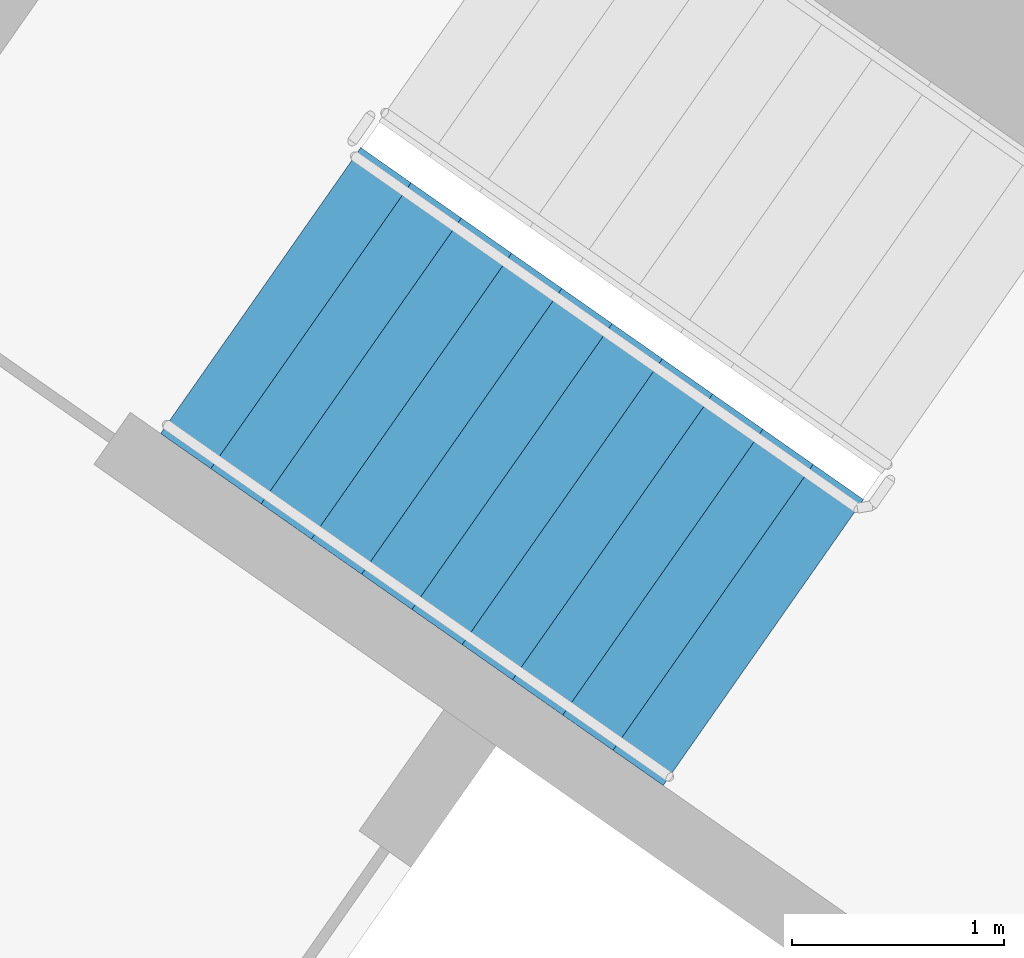
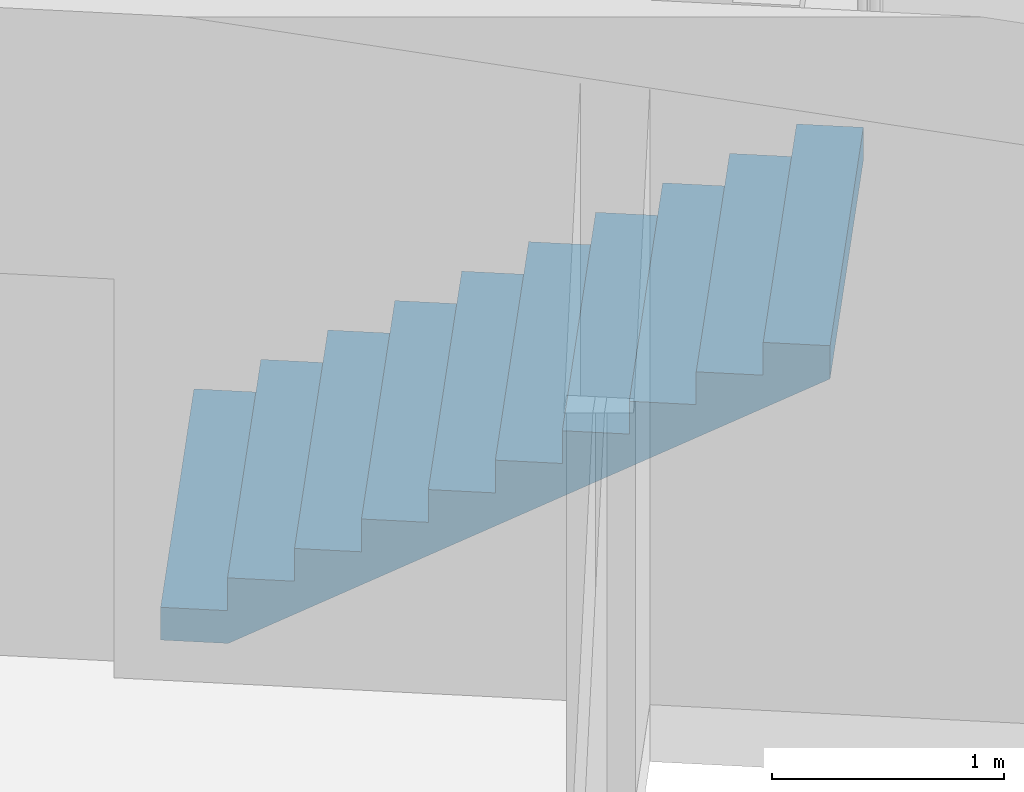
# One storey, part 11 of 26: 1 stair flight, 1 element without a shape of its own.
"""IFC4 building model written with IfcOpenShell, lengths in metres."""

import ifcopenshell
import ifcopenshell.guid

model = None  # the IFC model being written
_history = None  # IfcOwnerHistory: only IFC2X3 demands one
_inside = {}  # id of a spatial element -> (the spatial element, [elements in it])
_under = {}  # id of a project, library or spatial element -> (it, [spatial elements below it])
_declared = {}  # id of a project -> (the project, [libraries it declares])
_typed = {}  # id of a type object -> (the type object, [elements of that type])
_made_of = {}  # id of a material, layer set ... -> (it, [elements and type objects made of it])


def new_model(schema):
    """Start an empty IFC model of exactly this schema.

    Asked for "IFC4X3", IfcOpenShell would pick the latest addendum, in which some entities
    have other attributes; the version numbers below select the first issue.
    IFC2X3 requires an IfcOwnerHistory on every rooted entity: one is made here for all.
    """
    global model, _history
    if schema == "IFC4X3":
        model = ifcopenshell.file(schema_version=(4, 3, 0, 0))
    else:
        model = ifcopenshell.file(schema=schema)
    _inside.clear()
    _under.clear()
    _declared.clear()
    _typed.clear()
    _made_of.clear()
    _history = None
    if model.schema == "IFC2X3":
        org = make("IfcOrganization", Name="unknown")
        user = make(
            "IfcPersonAndOrganization",
            ThePerson=make("IfcPerson", FamilyName="unknown"),
            TheOrganization=org,
        )
        app = make(
            "IfcApplication",
            ApplicationDeveloper=org,
            Version="unknown",
            ApplicationFullName="unknown",
            ApplicationIdentifier="unknown",
        )
        _history = make(
            "IfcOwnerHistory",
            OwningUser=user,
            OwningApplication=app,
            ChangeAction="ADDED",
            CreationDate=0,
        )
    return model


def make(cls, **values):
    """One entity of the class cls with the attributes given. An attribute that is None is left unset."""
    return model.create_entity(
        cls, **{name: value for name, value in values.items() if value is not None}
    )


def rooted(cls, **values):
    """An entity with a GlobalId (a new one), such as an element, a storey or a relation."""
    return make(cls, GlobalId=ifcopenshell.guid.new(), OwnerHistory=_history, **values)


def si_unit(unit_type, name, prefix=None):
    """IfcSIUnit, for example si_unit("LENGTHUNIT", "METRE", prefix="MILLI")."""
    return make("IfcSIUnit", UnitType=unit_type, Prefix=prefix, Name=name)


def assignment(units):
    """IfcUnitAssignment: the units of a project."""
    return None if units is None else make("IfcUnitAssignment", Units=units)


def point(xyz):
    """IfcCartesianPoint."""
    return None if xyz is None else make("IfcCartesianPoint", Coordinates=xyz)


def direction(xyz):
    """IfcDirection."""
    return None if xyz is None else make("IfcDirection", DirectionRatios=xyz)


def frame(location, z_axis=None, x_axis=None):
    """IfcAxis2Placement3D, a coordinate frame: its origin and axes. An axis left out is left unset."""
    return make(
        "IfcAxis2Placement3D",
        Location=point(location),
        Axis=direction(z_axis),
        RefDirection=direction(x_axis),
    )


def origin():
    """The frame at (0, 0, 0) with its axes left unset."""
    return frame((0.0, 0.0, 0.0))


def place(relative_to, where):
    """IfcLocalPlacement: puts the frame where relative to a parent placement (None: the world)."""
    return make(
        "IfcLocalPlacement", PlacementRelTo=relative_to, RelativePlacement=where
    )


def context(
    kind, dimensions, precision=None, world=None, true_north=None, identifier=None
):
    """IfcGeometricRepresentationContext, for example the 3D "Model" context."""
    return make(
        "IfcGeometricRepresentationContext",
        ContextIdentifier=identifier,
        ContextType=kind,
        CoordinateSpaceDimension=dimensions,
        Precision=precision,
        WorldCoordinateSystem=world,
        TrueNorth=true_north,
    )


def subcontext(parent, identifier, kind, view, scale=None):
    """IfcGeometricRepresentationSubContext, for example "Body" below "Model"."""
    return make(
        "IfcGeometricRepresentationSubContext",
        ContextIdentifier=identifier,
        ContextType=kind,
        ParentContext=parent,
        TargetScale=scale,
        TargetView=view,
    )


def project(units=None, contexts=None):
    """IfcProject with its units and contexts."""
    return rooted(
        "IfcProject",
        Name="project",
        RepresentationContexts=contexts,
        UnitsInContext=assignment(units),
    )


def spatial(cls, under=None, at=None, **own):
    """A site, building, storey or space (cls), placed at a placement, below another one or the project."""
    s = rooted(cls, ObjectPlacement=at, **own)
    if under is not None:
        _under.setdefault(under.id(), (under, []))[1].append(s)
    return s


def faces_of(points, faces, orient=None, outer=None):
    """IfcFace entities. A face is a list of loops; a loop is a list of indices into points, from 0.

    orient and outer hold one flag for each loop. By default every Orientation is true, the
    first loop of a face is its IfcFaceOuterBound and the others are IfcFaceBound.
    """
    made = []
    for i, loops in enumerate(faces):
        bounds = []
        for j, loop in enumerate(loops):
            is_outer = j == 0 if outer is None else outer[i][j]
            bounds.append(
                make(
                    "IfcFaceOuterBound" if is_outer else "IfcFaceBound",
                    Bound=make("IfcPolyLoop", Polygon=[points[k] for k in loop]),
                    Orientation=True if orient is None else orient[i][j],
                )
            )
        made.append(make("IfcFace", Bounds=bounds))
    return made


def faceted_brep(points, faces, orient=None, outer=None, voids=None):
    """IfcFacetedBrep: a solid bounded by flat faces; with voids (closed shells), ...WithVoids."""
    shared = [point(p) for p in points]
    hull = make("IfcClosedShell", CfsFaces=faces_of(shared, faces, orient, outer))
    if voids is None:
        return make("IfcFacetedBrep", Outer=hull)
    return make(
        "IfcFacetedBrepWithVoids",
        Outer=hull,
        Voids=[
            make(cls, CfsFaces=faces_of(shared, fs, o, b)) for cls, fs, o, b in voids
        ],
    )


def shape(context_of_items, identifier, shape_type, items):
    """IfcShapeRepresentation: the items that make up one representation, for example the "Body"."""
    return make(
        "IfcShapeRepresentation",
        ContextOfItems=context_of_items,
        RepresentationIdentifier=identifier,
        RepresentationType=shape_type,
        Items=items,
    )


def material(Name=None, Category=None):
    """IfcMaterial."""
    return make("IfcMaterial", Name=Name, Category=Category)


def made_of(thing, what):
    """Note that an element or type object is made of a material, layer set ...; save() writes the relation."""
    if what is not None:
        _made_of.setdefault(what.id(), (what, []))[1].append(thing)
    return thing


def type_object(cls, material=None, **own):
    """A type object (cls), such as IfcWallType, which elements share."""
    return made_of(rooted(cls, **own), material)


def element(
    cls,
    number,
    at=None,
    inside=None,
    cuts=None,
    type_object=None,
    material=None,
    context=None,
    identifier="Body",
    shape_type=None,
    held_by="IfcProductDefinitionShape",
    body=None,
    shapes=None,
    **own,
):
    """One element of the class cls, such as IfcWall. Its Tag is "e" and its number.

    at: its placement. inside: the storey or other place that contains it. cuts: it is an
    opening in that element (IfcRelVoidsElement). A single representation is given by context,
    identifier, shape_type and body (its items); several are given by shapes. held_by: the class
    of the entity that holds the representations. save() writes the other relations.
    """
    e = rooted(cls, Tag="e%d" % number, ObjectPlacement=at, **own)
    if body is not None:
        shapes = [shape(context, identifier, shape_type, body)]
    if shapes is not None:
        e.Representation = make(held_by, Representations=shapes)
    if inside is not None:
        _inside.setdefault(inside.id(), (inside, []))[1].append(e)
    if cuts is not None:
        rooted(
            "IfcRelVoidsElement", RelatingBuildingElement=cuts, RelatedOpeningElement=e
        )
    if type_object is not None:
        _typed.setdefault(type_object.id(), (type_object, []))[1].append(e)
    return made_of(e, material)


def aggregate(whole, parts):
    """IfcRelAggregates: a whole, such as a stair, and the parts it consists of."""
    return rooted("IfcRelAggregates", RelatingObject=whole, RelatedObjects=parts)


def save(model, path):
    """Write the relations noted so far, then the file.

    IfcRelAggregates (storeys below a building ...), IfcRelContainedInSpatialStructure (elements
    in a storey), IfcRelDefinesByType, IfcRelAssociatesMaterial and IfcRelDeclares: one each for
    every whole, place, type object, material and project.
    """
    for whole, parts in _under.values():
        aggregate(whole, parts)
    for where, things in _inside.values():
        rooted(
            "IfcRelContainedInSpatialStructure",
            RelatedElements=things,
            RelatingStructure=where,
        )
    for kind, things in _typed.values():
        rooted("IfcRelDefinesByType", RelatedObjects=things, RelatingType=kind)
    for what, things in _made_of.values():
        rooted("IfcRelAssociatesMaterial", RelatedObjects=things, RelatingMaterial=what)
    for by, libraries in _declared.values():
        rooted("IfcRelDeclares", RelatingContext=by, RelatedDefinitions=libraries)
    model.write(path)


model = new_model("IFC4")

# Units and contexts
model_context = context("Model", 3, precision=1e-05, world=origin(), true_north=direction((0.0, 1.0)))
body_context = subcontext(model_context, "Body", "Model", "MODEL_VIEW")
ifc_project = project(units=[si_unit("LENGTHUNIT", "METRE"), si_unit("AREAUNIT", "SQUARE_METRE"), si_unit("VOLUMEUNIT", "CUBIC_METRE"), si_unit("PLANEANGLEUNIT", "RADIAN"), si_unit("MASSUNIT", "GRAM", prefix="KILO")], contexts=[model_context])

# Site, building, storey
site_placement = place(None, origin())
site = spatial("IfcSite", under=ifc_project, at=site_placement, CompositionType="ELEMENT")
building_placement = place(site_placement, origin())
building = spatial("IfcBuilding", under=site, at=building_placement, Name="Qamariyya Broadcast Tower", CompositionType="ELEMENT")
storey_placement = place(building_placement, frame((0.0, 0.0, 168.300048828125)))
storey = spatial("IfcBuildingStorey", under=building, at=storey_placement, Name="L39", CompositionType="ELEMENT", Elevation=168.300048828125)

# Stair, stair flight
ifc_material = material(Name="Concrete C50/60", Category="concrete")
stair_type = type_object("IfcStairType", Name="Exit stair 22 risers of 173 mm", PredefinedType="HALF_TURN_STAIR", material=ifc_material)
stair_placement = place(storey_placement, origin())
stair = element("IfcStair", 1, at=stair_placement, inside=storey, type_object=stair_type, Name="L39 Stair W2", PredefinedType="HALF_TURN_STAIR")
stair_flight_type = type_object("IfcStairFlightType", Name="Exit stair flight 11 risers of 173 mm", PredefinedType="STRAIGHT", material=ifc_material)
stair_flight_placement = place(storey_placement, frame((-41.59130859375, -49.15966796875, 0.0), z_axis=(0.0, 0.0, 1.0), x_axis=(0.819152044289, -0.573576436351, 0.0)))
stair_flight = element("IfcStairFlight", 2, at=stair_flight_placement, type_object=stair_flight_type, Name="ST-W2 flight 1", NumberOfRisers=11, NumberOfTreads=10, PredefinedType="STRAIGHT", RiserHeight=0.172727273, TreadLength=0.29, context=body_context, shape_type="Brep", body=[
    faceted_brep([(0.0, 0.824951171875, 0.0), (0.0, 0.824951171875, 0.172607421875), (0.2900390625, 0.824951171875, 0.172607421875), (0.2900390625, 0.824951171875, 0.345458984375), (0.580078125, 0.824951171875, 0.345458984375), (0.580078125, 0.824951171875, 0.51806640625), (0.8701171875, 0.824951171875, 0.51806640625), (0.8701171875, 0.824951171875, 0.69091796875), (1.159912109375, 0.824951171875, 0.69091796875), (1.159912109375, 0.824951171875, 0.863525390625), (1.449951171875, 0.824951171875, 0.863525390625), (1.449951171875, 0.824951171875, 1.036376953125), (1.739990234375, 0.824951171875, 1.036376953125), (1.739990234375, 0.824951171875, 1.208984375), (2.030029296875, 0.824951171875, 1.208984375), (2.030029296875, 0.824951171875, 1.3818359375), (2.320068359375, 0.824951171875, 1.3818359375), (2.320068359375, 0.824951171875, 1.554443359375), (2.610107421875, 0.824951171875, 1.554443359375), (2.610107421875, 0.824951171875, 1.727294921875), (2.89990234375, 0.824951171875, 1.727294921875), (2.89990234375, 0.824951171875, 1.552734375), (0.29296875, 0.824951171875, 0.0), (0.29296875, -0.824951171875, 0.0), (2.89990234375, -0.824951171875, 1.552734375), (2.89990234375, -0.824951171875, 1.727294921875), (2.610107421875, -0.824951171875, 1.727294921875), (2.610107421875, -0.824951171875, 1.554443359375), (2.320068359375, -0.824951171875, 1.554443359375), (2.320068359375, -0.824951171875, 1.3818359375), (2.030029296875, -0.824951171875, 1.3818359375), (2.030029296875, -0.824951171875, 1.208984375), (1.739990234375, -0.824951171875, 1.208984375), (1.739990234375, -0.824951171875, 1.036376953125), (1.449951171875, -0.824951171875, 1.036376953125), (1.449951171875, -0.824951171875, 0.863525390625), (1.159912109375, -0.824951171875, 0.863525390625), (1.159912109375, -0.824951171875, 0.69091796875), (0.8701171875, -0.824951171875, 0.69091796875), (0.8701171875, -0.824951171875, 0.51806640625), (0.580078125, -0.824951171875, 0.51806640625), (0.580078125, -0.824951171875, 0.345458984375), (0.2900390625, -0.824951171875, 0.345458984375), (0.2900390625, -0.824951171875, 0.172607421875), (0.0, -0.824951171875, 0.172607421875), (0.0, -0.824951171875, 0.0), (0.0, 0.10009765625, 0.0), (0.0, 0.086669921875, 0.0), (0.0, 0.0732421875, 0.0), (0.0, 0.06005859375, 0.0), (0.0, 0.046630859375, 0.0), (0.0, 0.033447265625, 0.0), (0.0, 0.02001953125, 0.0), (0.0, 0.006591796875, 0.0), (0.0, -0.006591796875, 0.0), (0.0, -0.02001953125, 0.0), (0.0, -0.033447265625, 0.0), (0.0, -0.046630859375, 0.0), (0.0, -0.06005859375, 0.0), (0.0, -0.0732421875, 0.0), (0.0, -0.086669921875, 0.0), (0.0, -0.10009765625, 0.0), (0.0, -0.10009765625, 0.172607421875), (0.0, -0.086669921875, 0.172607421875), (0.0, -0.0732421875, 0.172607421875), (0.0, -0.06005859375, 0.172607421875), (0.0, -0.046630859375, 0.172607421875), (0.0, -0.033447265625, 0.172607421875), (0.0, -0.02001953125, 0.172607421875), (0.0, -0.006591796875, 0.172607421875), (0.0, 0.006591796875, 0.172607421875), (0.0, 0.02001953125, 0.172607421875), (0.0, 0.033447265625, 0.172607421875), (0.0, 0.046630859375, 0.172607421875), (0.0, 0.06005859375, 0.172607421875), (0.0, 0.0732421875, 0.172607421875), (0.0, 0.086669921875, 0.172607421875), (0.0, 0.10009765625, 0.172607421875), (0.2900390625, -0.10009765625, 0.172607421875), (0.2900390625, -0.086669921875, 0.172607421875), (0.2900390625, -0.0732421875, 0.172607421875), (0.2900390625, -0.06005859375, 0.172607421875), (0.2900390625, -0.046630859375, 0.172607421875), (0.2900390625, -0.033447265625, 0.172607421875), (0.2900390625, -0.02001953125, 0.172607421875), (0.2900390625, -0.006591796875, 0.172607421875), (0.2900390625, 0.006591796875, 0.172607421875), (0.2900390625, 0.02001953125, 0.172607421875), (0.2900390625, 0.033447265625, 0.172607421875), (0.2900390625, 0.046630859375, 0.172607421875), (0.2900390625, 0.06005859375, 0.172607421875), (0.2900390625, 0.0732421875, 0.172607421875), (0.2900390625, 0.086669921875, 0.172607421875), (0.2900390625, 0.10009765625, 0.172607421875), (0.2900390625, -0.10009765625, 0.345458984375), (0.2900390625, -0.086669921875, 0.345458984375), (0.2900390625, -0.0732421875, 0.345458984375), (0.2900390625, -0.06005859375, 0.345458984375), (0.2900390625, -0.046630859375, 0.345458984375), (0.2900390625, -0.033447265625, 0.345458984375), (0.2900390625, -0.02001953125, 0.345458984375), (0.2900390625, -0.006591796875, 0.345458984375), (0.2900390625, 0.006591796875, 0.345458984375), (0.2900390625, 0.02001953125, 0.345458984375), (0.2900390625, 0.033447265625, 0.345458984375), (0.2900390625, 0.046630859375, 0.345458984375), (0.2900390625, 0.06005859375, 0.345458984375), (0.2900390625, 0.0732421875, 0.345458984375), (0.2900390625, 0.086669921875, 0.345458984375), (0.2900390625, 0.10009765625, 0.345458984375), (0.580078125, -0.10009765625, 0.345458984375), (0.580078125, -0.086669921875, 0.345458984375), (0.580078125, -0.0732421875, 0.345458984375), (0.580078125, -0.06005859375, 0.345458984375), (0.580078125, -0.046630859375, 0.345458984375), (0.580078125, -0.033447265625, 0.345458984375), (0.580078125, -0.02001953125, 0.345458984375), (0.580078125, -0.006591796875, 0.345458984375), (0.580078125, 0.006591796875, 0.345458984375), (0.580078125, 0.02001953125, 0.345458984375), (0.580078125, 0.033447265625, 0.345458984375), (0.580078125, 0.046630859375, 0.345458984375), (0.580078125, 0.06005859375, 0.345458984375), (0.580078125, 0.0732421875, 0.345458984375), (0.580078125, 0.086669921875, 0.345458984375), (0.580078125, 0.10009765625, 0.345458984375), (0.580078125, -0.10009765625, 0.51806640625), (0.580078125, -0.086669921875, 0.51806640625), (0.580078125, -0.0732421875, 0.51806640625), (0.580078125, -0.06005859375, 0.51806640625), (0.580078125, -0.046630859375, 0.51806640625), (0.580078125, -0.033447265625, 0.51806640625), (0.580078125, -0.02001953125, 0.51806640625), (0.580078125, -0.006591796875, 0.51806640625), (0.580078125, 0.006591796875, 0.51806640625), (0.580078125, 0.02001953125, 0.51806640625), (0.580078125, 0.033447265625, 0.51806640625), (0.580078125, 0.046630859375, 0.51806640625), (0.580078125, 0.06005859375, 0.51806640625), (0.580078125, 0.0732421875, 0.51806640625), (0.580078125, 0.086669921875, 0.51806640625), (0.580078125, 0.10009765625, 0.51806640625), (0.8701171875, -0.10009765625, 0.51806640625), (0.8701171875, -0.086669921875, 0.51806640625), (0.8701171875, -0.0732421875, 0.51806640625), (0.8701171875, -0.06005859375, 0.51806640625), (0.8701171875, -0.046630859375, 0.51806640625), (0.8701171875, -0.033447265625, 0.51806640625), (0.8701171875, -0.02001953125, 0.51806640625), (0.8701171875, -0.006591796875, 0.51806640625), (0.8701171875, 0.006591796875, 0.51806640625), (0.8701171875, 0.02001953125, 0.51806640625), (0.8701171875, 0.033447265625, 0.51806640625), (0.8701171875, 0.046630859375, 0.51806640625), (0.8701171875, 0.06005859375, 0.51806640625), (0.8701171875, 0.0732421875, 0.51806640625), (0.8701171875, 0.086669921875, 0.51806640625), (0.8701171875, 0.10009765625, 0.51806640625), (0.8701171875, -0.10009765625, 0.69091796875), (0.8701171875, -0.086669921875, 0.69091796875), (0.8701171875, -0.0732421875, 0.69091796875), (0.8701171875, -0.06005859375, 0.69091796875), (0.8701171875, -0.046630859375, 0.69091796875), (0.8701171875, -0.033447265625, 0.69091796875), (0.8701171875, -0.02001953125, 0.69091796875), (0.8701171875, -0.006591796875, 0.69091796875), (0.8701171875, 0.006591796875, 0.69091796875), (0.8701171875, 0.02001953125, 0.69091796875), (0.8701171875, 0.033447265625, 0.69091796875), (0.8701171875, 0.046630859375, 0.69091796875), (0.8701171875, 0.06005859375, 0.69091796875), (0.8701171875, 0.0732421875, 0.69091796875), (0.8701171875, 0.086669921875, 0.69091796875), (0.8701171875, 0.10009765625, 0.69091796875), (1.159912109375, -0.10009765625, 0.69091796875), (1.159912109375, -0.086669921875, 0.69091796875), (1.159912109375, -0.0732421875, 0.69091796875), (1.159912109375, -0.06005859375, 0.69091796875), (1.159912109375, -0.046630859375, 0.69091796875), (1.159912109375, -0.033447265625, 0.69091796875), (1.159912109375, -0.02001953125, 0.69091796875), (1.159912109375, -0.006591796875, 0.69091796875), (1.159912109375, 0.006591796875, 0.69091796875), (1.159912109375, 0.02001953125, 0.69091796875), (1.159912109375, 0.033447265625, 0.69091796875), (1.159912109375, 0.046630859375, 0.69091796875), (1.159912109375, 0.06005859375, 0.69091796875), (1.159912109375, 0.0732421875, 0.69091796875), (1.159912109375, 0.086669921875, 0.69091796875), (1.159912109375, 0.10009765625, 0.69091796875), (1.159912109375, -0.10009765625, 0.863525390625), (1.159912109375, -0.086669921875, 0.863525390625), (1.159912109375, -0.0732421875, 0.863525390625), (1.159912109375, -0.06005859375, 0.863525390625), (1.159912109375, -0.046630859375, 0.863525390625), (1.159912109375, -0.033447265625, 0.863525390625), (1.159912109375, -0.02001953125, 0.863525390625), (1.159912109375, -0.006591796875, 0.863525390625), (1.159912109375, 0.006591796875, 0.863525390625), (1.159912109375, 0.02001953125, 0.863525390625), (1.159912109375, 0.033447265625, 0.863525390625), (1.159912109375, 0.046630859375, 0.863525390625), (1.159912109375, 0.06005859375, 0.863525390625), (1.159912109375, 0.0732421875, 0.863525390625), (1.159912109375, 0.086669921875, 0.863525390625), (1.159912109375, 0.10009765625, 0.863525390625), (1.449951171875, -0.10009765625, 0.863525390625), (1.449951171875, -0.086669921875, 0.863525390625), (1.449951171875, -0.0732421875, 0.863525390625), (1.449951171875, -0.06005859375, 0.863525390625), (1.449951171875, -0.046630859375, 0.863525390625), (1.449951171875, -0.033447265625, 0.863525390625), (1.449951171875, -0.02001953125, 0.863525390625), (1.449951171875, -0.006591796875, 0.863525390625), (1.449951171875, 0.006591796875, 0.863525390625), (1.449951171875, 0.02001953125, 0.863525390625), (1.449951171875, 0.033447265625, 0.863525390625), (1.449951171875, 0.046630859375, 0.863525390625), (1.449951171875, 0.06005859375, 0.863525390625), (1.449951171875, 0.0732421875, 0.863525390625), (1.449951171875, 0.086669921875, 0.863525390625), (1.449951171875, 0.10009765625, 0.863525390625), (1.449951171875, -0.10009765625, 1.036376953125), (1.449951171875, -0.086669921875, 1.036376953125), (1.449951171875, -0.0732421875, 1.036376953125), (1.449951171875, -0.06005859375, 1.036376953125), (1.449951171875, -0.046630859375, 1.036376953125), (1.449951171875, -0.033447265625, 1.036376953125), (1.449951171875, -0.02001953125, 1.036376953125), (1.449951171875, -0.006591796875, 1.036376953125), (1.449951171875, 0.006591796875, 1.036376953125), (1.449951171875, 0.02001953125, 1.036376953125), (1.449951171875, 0.033447265625, 1.036376953125), (1.449951171875, 0.046630859375, 1.036376953125), (1.449951171875, 0.06005859375, 1.036376953125), (1.449951171875, 0.0732421875, 1.036376953125), (1.449951171875, 0.086669921875, 1.036376953125), (1.449951171875, 0.10009765625, 1.036376953125), (1.739990234375, -0.10009765625, 1.036376953125), (1.739990234375, -0.086669921875, 1.036376953125), (1.739990234375, -0.0732421875, 1.036376953125), (1.739990234375, -0.06005859375, 1.036376953125), (1.739990234375, -0.046630859375, 1.036376953125), (1.739990234375, -0.033447265625, 1.036376953125), (1.739990234375, -0.02001953125, 1.036376953125), (1.739990234375, -0.006591796875, 1.036376953125), (1.739990234375, 0.006591796875, 1.036376953125), (1.739990234375, 0.02001953125, 1.036376953125), (1.739990234375, 0.033447265625, 1.036376953125), (1.739990234375, 0.046630859375, 1.036376953125), (1.739990234375, 0.06005859375, 1.036376953125), (1.739990234375, 0.0732421875, 1.036376953125), (1.739990234375, 0.086669921875, 1.036376953125), (1.739990234375, 0.10009765625, 1.036376953125), (1.739990234375, -0.10009765625, 1.208984375), (1.739990234375, -0.086669921875, 1.208984375), (1.739990234375, -0.0732421875, 1.208984375), (1.739990234375, -0.06005859375, 1.208984375), (1.739990234375, -0.046630859375, 1.208984375), (1.739990234375, -0.033447265625, 1.208984375), (1.739990234375, -0.02001953125, 1.208984375), (1.739990234375, -0.006591796875, 1.208984375), (1.739990234375, 0.006591796875, 1.208984375), (1.739990234375, 0.02001953125, 1.208984375), (1.739990234375, 0.033447265625, 1.208984375), (1.739990234375, 0.046630859375, 1.208984375), (1.739990234375, 0.06005859375, 1.208984375), (1.739990234375, 0.0732421875, 1.208984375), (1.739990234375, 0.086669921875, 1.208984375), (1.739990234375, 0.10009765625, 1.208984375), (2.030029296875, -0.10009765625, 1.208984375), (2.030029296875, -0.086669921875, 1.208984375), (2.030029296875, -0.0732421875, 1.208984375), (2.030029296875, -0.06005859375, 1.208984375), (2.030029296875, -0.046630859375, 1.208984375), (2.030029296875, -0.033447265625, 1.208984375), (2.030029296875, -0.02001953125, 1.208984375), (2.030029296875, -0.006591796875, 1.208984375), (2.030029296875, 0.006591796875, 1.208984375), (2.030029296875, 0.02001953125, 1.208984375), (2.030029296875, 0.033447265625, 1.208984375), (2.030029296875, 0.046630859375, 1.208984375), (2.030029296875, 0.06005859375, 1.208984375), (2.030029296875, 0.0732421875, 1.208984375), (2.030029296875, 0.086669921875, 1.208984375), (2.030029296875, 0.10009765625, 1.208984375), (2.030029296875, -0.10009765625, 1.3818359375), (2.030029296875, -0.086669921875, 1.3818359375), (2.030029296875, -0.0732421875, 1.3818359375), (2.030029296875, -0.06005859375, 1.3818359375), (2.030029296875, -0.046630859375, 1.3818359375), (2.030029296875, -0.033447265625, 1.3818359375), (2.030029296875, -0.02001953125, 1.3818359375), (2.030029296875, -0.006591796875, 1.3818359375), (2.030029296875, 0.006591796875, 1.3818359375), (2.030029296875, 0.02001953125, 1.3818359375), (2.030029296875, 0.033447265625, 1.3818359375), (2.030029296875, 0.046630859375, 1.3818359375), (2.030029296875, 0.06005859375, 1.3818359375), (2.030029296875, 0.0732421875, 1.3818359375), (2.030029296875, 0.086669921875, 1.3818359375), (2.030029296875, 0.10009765625, 1.3818359375), (2.320068359375, -0.10009765625, 1.3818359375), (2.320068359375, -0.086669921875, 1.3818359375), (2.320068359375, -0.0732421875, 1.3818359375), (2.320068359375, -0.06005859375, 1.3818359375), (2.320068359375, -0.046630859375, 1.3818359375), (2.320068359375, -0.033447265625, 1.3818359375), (2.320068359375, -0.02001953125, 1.3818359375), (2.320068359375, -0.006591796875, 1.3818359375), (2.320068359375, 0.006591796875, 1.3818359375), (2.320068359375, 0.02001953125, 1.3818359375), (2.320068359375, 0.033447265625, 1.3818359375), (2.320068359375, 0.046630859375, 1.3818359375), (2.320068359375, 0.06005859375, 1.3818359375), (2.320068359375, 0.0732421875, 1.3818359375), (2.320068359375, 0.086669921875, 1.3818359375), (2.320068359375, 0.10009765625, 1.3818359375), (2.320068359375, -0.10009765625, 1.554443359375), (2.320068359375, -0.086669921875, 1.554443359375), (2.320068359375, -0.0732421875, 1.554443359375), (2.320068359375, -0.06005859375, 1.554443359375), (2.320068359375, -0.046630859375, 1.554443359375), (2.320068359375, -0.033447265625, 1.554443359375), (2.320068359375, -0.02001953125, 1.554443359375), (2.320068359375, -0.006591796875, 1.554443359375), (2.320068359375, 0.006591796875, 1.554443359375), (2.320068359375, 0.02001953125, 1.554443359375), (2.320068359375, 0.033447265625, 1.554443359375), (2.320068359375, 0.046630859375, 1.554443359375), (2.320068359375, 0.06005859375, 1.554443359375), (2.320068359375, 0.0732421875, 1.554443359375), (2.320068359375, 0.086669921875, 1.554443359375), (2.320068359375, 0.10009765625, 1.554443359375), (2.610107421875, -0.10009765625, 1.554443359375), (2.610107421875, -0.086669921875, 1.554443359375), (2.610107421875, -0.0732421875, 1.554443359375), (2.610107421875, -0.06005859375, 1.554443359375), (2.610107421875, -0.046630859375, 1.554443359375), (2.610107421875, -0.033447265625, 1.554443359375), (2.610107421875, -0.02001953125, 1.554443359375), (2.610107421875, -0.006591796875, 1.554443359375), (2.610107421875, 0.006591796875, 1.554443359375), (2.610107421875, 0.02001953125, 1.554443359375), (2.610107421875, 0.033447265625, 1.554443359375), (2.610107421875, 0.046630859375, 1.554443359375), (2.610107421875, 0.06005859375, 1.554443359375), (2.610107421875, 0.0732421875, 1.554443359375), (2.610107421875, 0.086669921875, 1.554443359375), (2.610107421875, 0.10009765625, 1.554443359375), (2.610107421875, -0.10009765625, 1.727294921875), (2.610107421875, -0.086669921875, 1.727294921875), (2.610107421875, -0.0732421875, 1.727294921875), (2.610107421875, -0.06005859375, 1.727294921875), (2.610107421875, -0.046630859375, 1.727294921875), (2.610107421875, -0.033447265625, 1.727294921875), (2.610107421875, -0.02001953125, 1.727294921875), (2.610107421875, -0.006591796875, 1.727294921875), (2.610107421875, 0.006591796875, 1.727294921875), (2.610107421875, 0.02001953125, 1.727294921875), (2.610107421875, 0.033447265625, 1.727294921875), (2.610107421875, 0.046630859375, 1.727294921875), (2.610107421875, 0.06005859375, 1.727294921875), (2.610107421875, 0.0732421875, 1.727294921875), (2.610107421875, 0.086669921875, 1.727294921875), (2.610107421875, 0.10009765625, 1.727294921875), (2.89990234375, -0.10009765625, 1.727294921875), (2.89990234375, -0.086669921875, 1.727294921875), (2.89990234375, -0.0732421875, 1.727294921875), (2.89990234375, -0.06005859375, 1.727294921875), (2.89990234375, -0.046630859375, 1.727294921875), (2.89990234375, -0.033447265625, 1.727294921875), (2.89990234375, -0.02001953125, 1.727294921875), (2.89990234375, -0.006591796875, 1.727294921875), (2.89990234375, 0.006591796875, 1.727294921875), (2.89990234375, 0.02001953125, 1.727294921875), (2.89990234375, 0.033447265625, 1.727294921875), (2.89990234375, 0.046630859375, 1.727294921875), (2.89990234375, 0.06005859375, 1.727294921875), (2.89990234375, 0.0732421875, 1.727294921875), (2.89990234375, 0.086669921875, 1.727294921875), (2.89990234375, 0.10009765625, 1.727294921875), (2.89990234375, -0.10009765625, 1.552734375), (2.89990234375, -0.086669921875, 1.552734375), (2.89990234375, -0.0732421875, 1.552734375), (2.89990234375, -0.06005859375, 1.552734375), (2.89990234375, -0.046630859375, 1.552734375), (2.89990234375, -0.033447265625, 1.552734375), (2.89990234375, -0.02001953125, 1.552734375), (2.89990234375, -0.006591796875, 1.552734375), (2.89990234375, 0.006591796875, 1.552734375), (2.89990234375, 0.02001953125, 1.552734375), (2.89990234375, 0.033447265625, 1.552734375), (2.89990234375, 0.046630859375, 1.552734375), (2.89990234375, 0.06005859375, 1.552734375), (2.89990234375, 0.0732421875, 1.552734375), (2.89990234375, 0.086669921875, 1.552734375), (2.89990234375, 0.10009765625, 1.552734375), (0.29296875, -0.10009765625, 0.0), (0.29296875, -0.086669921875, 0.0), (0.29296875, -0.0732421875, 0.0), (0.29296875, -0.06005859375, 0.0), (0.29296875, -0.046630859375, 0.0), (0.29296875, -0.033447265625, 0.0), (0.29296875, -0.02001953125, 0.0), (0.29296875, -0.006591796875, 0.0), (0.29296875, 0.006591796875, 0.0), (0.29296875, 0.02001953125, 0.0), (0.29296875, 0.033447265625, 0.0), (0.29296875, 0.046630859375, 0.0), (0.29296875, 0.06005859375, 0.0), (0.29296875, 0.0732421875, 0.0), (0.29296875, 0.086669921875, 0.0), (0.29296875, 0.10009765625, 0.0)], [[[0, 1, 2, 3, 4, 5, 6, 7, 8, 9, 10, 11, 12, 13, 14, 15, 16, 17, 18, 19, 20, 21, 22]], [[23, 24, 25, 26, 27, 28, 29, 30, 31, 32, 33, 34, 35, 36, 37, 38, 39, 40, 41, 42, 43, 44, 45]], [[0, 46, 47, 48, 49, 50, 51, 52, 53, 54, 55, 56, 57, 58, 59, 60, 61, 45, 44, 62, 63, 64, 65, 66, 67, 68, 69, 70, 71, 72, 73, 74, 75, 76, 77, 1]], [[1, 77, 76, 75, 74, 73, 72, 71, 70, 69, 68, 67, 66, 65, 64, 63, 62, 44, 43, 78, 79, 80, 81, 82, 83, 84, 85, 86, 87, 88, 89, 90, 91, 92, 93, 2]], [[2, 93, 92, 91, 90, 89, 88, 87, 86, 85, 84, 83, 82, 81, 80, 79, 78, 43, 42, 94, 95, 96, 97, 98, 99, 100, 101, 102, 103, 104, 105, 106, 107, 108, 109, 3]], [[3, 109, 108, 107, 106, 105, 104, 103, 102, 101, 100, 99, 98, 97, 96, 95, 94, 42, 41, 110, 111, 112, 113, 114, 115, 116, 117, 118, 119, 120, 121, 122, 123, 124, 125, 4]], [[4, 125, 124, 123, 122, 121, 120, 119, 118, 117, 116, 115, 114, 113, 112, 111, 110, 41, 40, 126, 127, 128, 129, 130, 131, 132, 133, 134, 135, 136, 137, 138, 139, 140, 141, 5]], [[5, 141, 140, 139, 138, 137, 136, 135, 134, 133, 132, 131, 130, 129, 128, 127, 126, 40, 39, 142, 143, 144, 145, 146, 147, 148, 149, 150, 151, 152, 153, 154, 155, 156, 157, 6]], [[6, 157, 156, 155, 154, 153, 152, 151, 150, 149, 148, 147, 146, 145, 144, 143, 142, 39, 38, 158, 159, 160, 161, 162, 163, 164, 165, 166, 167, 168, 169, 170, 171, 172, 173, 7]], [[7, 173, 172, 171, 170, 169, 168, 167, 166, 165, 164, 163, 162, 161, 160, 159, 158, 38, 37, 174, 175, 176, 177, 178, 179, 180, 181, 182, 183, 184, 185, 186, 187, 188, 189, 8]], [[8, 189, 188, 187, 186, 185, 184, 183, 182, 181, 180, 179, 178, 177, 176, 175, 174, 37, 36, 190, 191, 192, 193, 194, 195, 196, 197, 198, 199, 200, 201, 202, 203, 204, 205, 9]], [[9, 205, 204, 203, 202, 201, 200, 199, 198, 197, 196, 195, 194, 193, 192, 191, 190, 36, 35, 206, 207, 208, 209, 210, 211, 212, 213, 214, 215, 216, 217, 218, 219, 220, 221, 10]], [[10, 221, 220, 219, 218, 217, 216, 215, 214, 213, 212, 211, 210, 209, 208, 207, 206, 35, 34, 222, 223, 224, 225, 226, 227, 228, 229, 230, 231, 232, 233, 234, 235, 236, 237, 11]], [[11, 237, 236, 235, 234, 233, 232, 231, 230, 229, 228, 227, 226, 225, 224, 223, 222, 34, 33, 238, 239, 240, 241, 242, 243, 244, 245, 246, 247, 248, 249, 250, 251, 252, 253, 12]], [[12, 253, 252, 251, 250, 249, 248, 247, 246, 245, 244, 243, 242, 241, 240, 239, 238, 33, 32, 254, 255, 256, 257, 258, 259, 260, 261, 262, 263, 264, 265, 266, 267, 268, 269, 13]], [[13, 269, 268, 267, 266, 265, 264, 263, 262, 261, 260, 259, 258, 257, 256, 255, 254, 32, 31, 270, 271, 272, 273, 274, 275, 276, 277, 278, 279, 280, 281, 282, 283, 284, 285, 14]], [[14, 285, 284, 283, 282, 281, 280, 279, 278, 277, 276, 275, 274, 273, 272, 271, 270, 31, 30, 286, 287, 288, 289, 290, 291, 292, 293, 294, 295, 296, 297, 298, 299, 300, 301, 15]], [[15, 301, 300, 299, 298, 297, 296, 295, 294, 293, 292, 291, 290, 289, 288, 287, 286, 30, 29, 302, 303, 304, 305, 306, 307, 308, 309, 310, 311, 312, 313, 314, 315, 316, 317, 16]], [[16, 317, 316, 315, 314, 313, 312, 311, 310, 309, 308, 307, 306, 305, 304, 303, 302, 29, 28, 318, 319, 320, 321, 322, 323, 324, 325, 326, 327, 328, 329, 330, 331, 332, 333, 17]], [[17, 333, 332, 331, 330, 329, 328, 327, 326, 325, 324, 323, 322, 321, 320, 319, 318, 28, 27, 334, 335, 336, 337, 338, 339, 340, 341, 342, 343, 344, 345, 346, 347, 348, 349, 18]], [[18, 349, 348, 347, 346, 345, 344, 343, 342, 341, 340, 339, 338, 337, 336, 335, 334, 27, 26, 350, 351, 352, 353, 354, 355, 356, 357, 358, 359, 360, 361, 362, 363, 364, 365, 19]], [[19, 365, 364, 363, 362, 361, 360, 359, 358, 357, 356, 355, 354, 353, 352, 351, 350, 26, 25, 366, 367, 368, 369, 370, 371, 372, 373, 374, 375, 376, 377, 378, 379, 380, 381, 20]], [[20, 381, 380, 379, 378, 377, 376, 375, 374, 373, 372, 371, 370, 369, 368, 367, 366, 25, 24, 382, 383, 384, 385, 386, 387, 388, 389, 390, 391, 392, 393, 394, 395, 396, 397, 21]], [[21, 397, 396, 395, 394, 393, 392, 391, 390, 389, 388, 387, 386, 385, 384, 383, 382, 24, 23, 398, 399, 400, 401, 402, 403, 404, 405, 406, 407, 408, 409, 410, 411, 412, 413, 22]], [[22, 413, 412, 411, 410, 409, 408, 407, 406, 405, 404, 403, 402, 401, 400, 399, 398, 23, 45, 61, 60, 59, 58, 57, 56, 55, 54, 53, 52, 51, 50, 49, 48, 47, 46, 0]]]),
])
aggregate(stair, [stair_flight])

save(model, "model.ifc")
